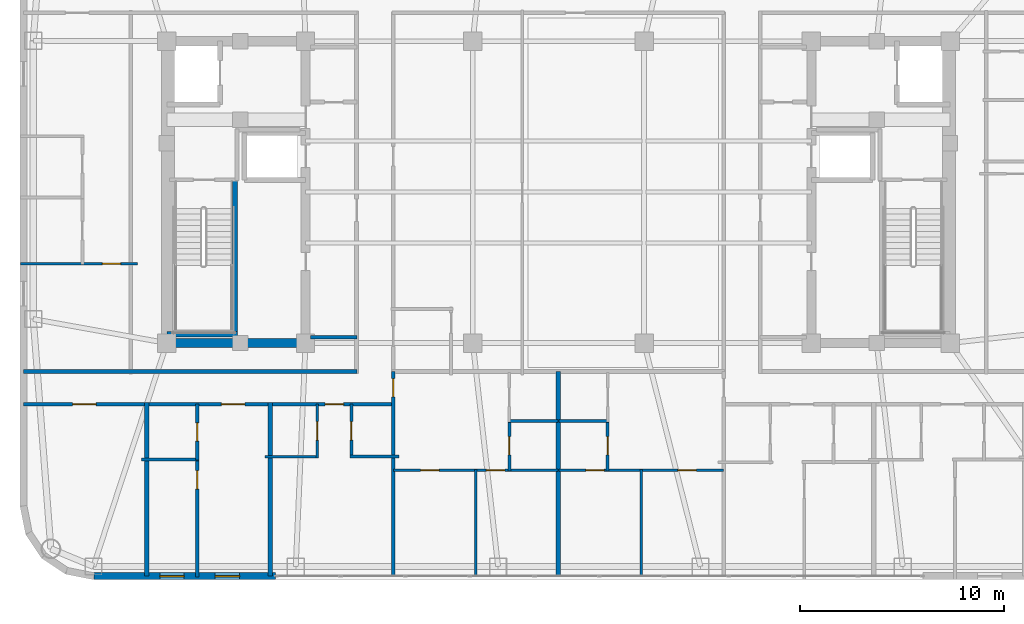
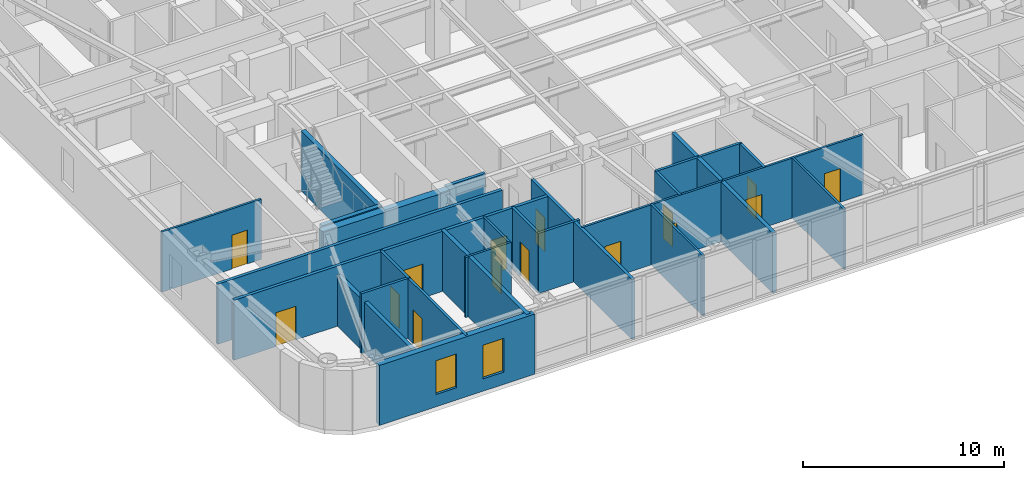
# One storey, part 8 of 16: 27 walls, 15 doors, 2 windows, 17 openings.
"""IFC4 building model written with IfcOpenShell, lengths in metres."""

from ifc_helpers import new_model, si_unit, direction, frame, frame_2d, origin, place, context, subcontext, project, spatial, rectangle, extrude, material, layer, layer_set, type_object, element, fill, save


model = new_model("IFC4")

# Units and contexts
model_context = context("Model", 3, precision=1e-05, world=origin(), true_north=direction((0.0, 1.0)))
body_context = subcontext(model_context, "Body", "Model", "MODEL_VIEW")
ifc_project = project(units=[si_unit("LENGTHUNIT", "METRE"), si_unit("AREAUNIT", "SQUARE_METRE"), si_unit("VOLUMEUNIT", "CUBIC_METRE"), si_unit("PLANEANGLEUNIT", "RADIAN"), si_unit("MASSUNIT", "GRAM", prefix="KILO")], contexts=[model_context])

# Site, building, storey
site_placement = place(None, origin())
site = spatial("IfcSite", under=ifc_project, at=site_placement, CompositionType="ELEMENT")
building_placement = place(site_placement, origin())
building = spatial("IfcBuilding", under=site, at=building_placement, Name="Voryun Gate Residences", CompositionType="ELEMENT")
storey_placement = place(building_placement, frame((0.0, 0.0, 208.0)))
storey = spatial("IfcBuildingStorey", under=building, at=storey_placement, Name="L51", CompositionType="ELEMENT", Elevation=208.0)

# Walls
ifc_material_1 = material(Name="Concrete C50/60", Category="concrete")
ifc_layer_1 = layer(ifc_material_1, 0.449951171875, Name="CW_CORE_450")
ifc_layer_set_1 = layer_set([ifc_layer_1], Name="Concrete C50/60")
wall_type_1 = type_object("IfcWallType", Name="CW_CORE_450", PredefinedType="SHEAR", material=ifc_layer_set_1)
wall_1_placement = place(storey_placement, frame((-19.425048828125, -7.39990234375, 0.0), z_axis=(0.0, 0.0, 1.0), x_axis=(1.0, 0.0, 0.0)))
element("IfcWall", 1, at=wall_1_placement, inside=storey, type_object=wall_type_1, Name="L51 Core shear wall CW-L51-WS", PredefinedType="SHEAR", context=body_context, shape_type="SweptSolid", body=[
    extrude(rectangle(XDim=7.25, YDim=0.449951171875, at=frame_2d((3.625, 0.0))), origin(), (0.0, 0.0, 1.0), 3.64990234375),
])
ifc_material_2 = material(Name="Gypsum acoustic fireboard")
ifc_layer_2 = layer(ifc_material_2, 0.179931640625, Name="W_CORR_RATED_180")
ifc_layer_set_2 = layer_set([ifc_layer_2], Name="Gypsum acoustic fireboard")
wall_type_2 = type_object("IfcWallType", Name="W_CORR_RATED_180", PredefinedType="PARTITIONING", material=ifc_layer_set_2)
wall_2_placement = place(storey_placement, frame((-12.14990234375, -7.1201171875, 0.0), z_axis=(0.0, 0.0, 1.0), x_axis=(1.0, 0.0, 0.0)))
element("IfcWall", 2, at=wall_2_placement, inside=storey, type_object=wall_type_2, Name="Partition wall WP-L51-PLBS-W", PredefinedType="PARTITIONING", context=body_context, shape_type="SweptSolid", body=[
    extrude(rectangle(XDim=2.27001953125, YDim=0.179931640625, at=frame_2d((1.135009765625, 0.0))), origin(), (0.0, 0.0, 1.0), 3.64990234375),
])
wall_3_placement = place(storey_placement, frame((-26.22998046875, -8.7900390625, 0.0), z_axis=(0.0, 0.0, 1.0), x_axis=(1.0, 0.0, 0.0)))
element("IfcWall", 3, at=wall_3_placement, inside=storey, type_object=wall_type_2, Name="Partition wall WP-L51-CWING-WS", PredefinedType="PARTITIONING", context=body_context, shape_type="SweptSolid", body=[
    extrude(rectangle(XDim=16.35009765625, YDim=0.179931640625, at=frame_2d((8.175048828125, 0.0))), origin(), (0.0, 0.0, 1.0), 3.64990234375),
])

# Wall, openings, doors
wall_4_placement = place(storey_placement, frame((-26.22998046875, -10.39990234375, 0.0), z_axis=(0.0, 0.0, 1.0), x_axis=(1.0, 0.0, 0.0)))
wall_4 = element("IfcWall", 4, at=wall_4_placement, inside=storey, type_object=wall_type_2, Name="Partition wall WP-L51-SCORR-W", PredefinedType="PARTITIONING", context=body_context, shape_type="SweptSolid", body=[
    extrude(rectangle(XDim=18.14990234375, YDim=0.179931640625, at=frame_2d((9.074951171875, 0.0))), origin(), (0.0, 0.0, 1.0), 3.64990234375),
])
opening_1_placement = place(wall_4_placement, frame((2.414306640625, 0.0, 0.0)))
opening_1 = element("IfcOpeningElement", 5, at=opening_1_placement, cuts=wall_4, Name="Opening D-UNIT-1", PredefinedType="OPENING", context=body_context, shape_type="SweptSolid", body=[
    extrude(rectangle(XDim=1.14990234375, YDim=2.050048828125, at=frame_2d((0.574951171875, 1.02490234375))), frame((0.0, 0.099853515625, 0.0), z_axis=(0.0, -1.0, 0.0), x_axis=(1.0, 0.0, 0.0)), (0.0, 0.0, 1.0), 0.199951171875),
])
opening_2_placement = place(wall_4_placement, frame((9.703369140625, 0.0, 0.0)))
opening_2 = element("IfcOpeningElement", 6, at=opening_2_placement, cuts=wall_4, Name="Opening D-UNIT-1", PredefinedType="OPENING", context=body_context, shape_type="SweptSolid", body=[
    extrude(rectangle(XDim=1.14990234375, YDim=2.050048828125, at=frame_2d((0.574951171875, 1.02490234375))), frame((0.0, 0.099853515625, 0.0), z_axis=(0.0, -1.0, 0.0), x_axis=(1.0, 0.0, 0.0)), (0.0, 0.0, 1.0), 0.199951171875),
])
opening_3_placement = place(wall_4_placement, frame((14.79248046875, 0.0, 0.0)))
opening_3 = element("IfcOpeningElement", 7, at=opening_3_placement, cuts=wall_4, Name="Opening D-INT-2", PredefinedType="OPENING", context=body_context, shape_type="SweptSolid", body=[
    extrude(rectangle(XDim=0.89990234375, YDim=2.050048828125, at=frame_2d((0.449951171875, 1.02490234375))), frame((0.0, 0.099853515625, 0.0), z_axis=(0.0, -1.0, 0.0), x_axis=(1.0, 0.0, 0.0)), (0.0, 0.0, 1.0), 0.199951171875),
])
ifc_material_3 = material(Name="Architectural oak veneer")
door_type_1 = type_object("IfcDoorType", Name="DR_INT_BATH_900", OperationType="NOTDEFINED", PredefinedType="DOOR", material=ifc_material_3)
door_1_placement = place(opening_3_placement, origin())
door_1 = element("IfcDoor", 8, at=door_1_placement, inside=storey, type_object=door_type_1, Name="Door DR-L51-SENT-3", OperationType="SINGLE_SWING_RIGHT", OverallHeight=2.050048828125, OverallWidth=0.89990234375, PredefinedType="DOOR", context=body_context, shape_type="SweptSolid", body=[
    extrude(rectangle(XDim=0.89990234375, YDim=2.050048828125, at=frame_2d((0.449951171875, 1.02490234375))), frame((0.0, 0.02490234375, 0.0), z_axis=(0.0, -1.0, 0.0), x_axis=(1.0, 0.0, 0.0)), (0.0, 0.0, 1.0), 0.050048828125),
])
fill(opening_3, door_1)
ifc_material_4 = material(Name="Armoured timber-clad fire door", Category="wood")
door_type_2 = type_object("IfcDoorType", Name="DR_UNIT_ENTRY_1150", OperationType="NOTDEFINED", PredefinedType="DOOR", material=ifc_material_4)
door_2_placement = place(opening_1_placement, origin())
door_2 = element("IfcDoor", 9, at=door_2_placement, inside=storey, type_object=door_type_2, Name="Door DR-L51-SENT-1", OperationType="SINGLE_SWING_RIGHT", OverallHeight=2.050048828125, OverallWidth=1.14990234375, PredefinedType="DOOR", context=body_context, shape_type="SweptSolid", body=[
    extrude(rectangle(XDim=1.14990234375, YDim=2.050048828125, at=frame_2d((0.574951171875, 1.02490234375))), frame((0.0, 0.02490234375, 0.0), z_axis=(0.0, -1.0, 0.0), x_axis=(1.0, 0.0, 0.0)), (0.0, 0.0, 1.0), 0.050048828125),
])
fill(opening_1, door_2)
door_3_placement = place(opening_2_placement, origin())
door_3 = element("IfcDoor", 10, at=door_3_placement, inside=storey, type_object=door_type_2, Name="Door DR-L51-SENT-2", OperationType="SINGLE_SWING_LEFT", OverallHeight=2.050048828125, OverallWidth=1.14990234375, PredefinedType="DOOR", context=body_context, shape_type="SweptSolid", body=[
    extrude(rectangle(XDim=1.14990234375, YDim=2.050048828125, at=frame_2d((0.574951171875, 1.02490234375))), frame((0.0, 0.02490234375, 0.0), z_axis=(0.0, -1.0, 0.0), x_axis=(1.0, 0.0, 0.0)), (0.0, 0.0, 1.0), 0.050048828125),
])
fill(opening_2, door_3)

# Wall, opening, door
wall_5_placement = place(storey_placement, frame((-8.10009765625, -18.830078125, 0.0), z_axis=(0.0, 0.0, 1.0), x_axis=(0.0, 1.0, 0.0)))
wall_5 = element("IfcWall", 11, at=wall_5_placement, inside=storey, type_object=wall_type_2, Name="Partition wall WP-L51-SZV-1", PredefinedType="PARTITIONING", context=body_context, shape_type="SweptSolid", body=[
    extrude(rectangle(XDim=10.0400390625, YDim=0.179931640625, at=frame_2d((5.02001953125, 0.0))), origin(), (0.0, 0.0, 1.0), 3.64990234375),
])
opening_4_placement = place(wall_5_placement, frame((8.789794921875, 0.0, 0.0)))
opening_4 = element("IfcOpeningElement", 12, at=opening_4_placement, cuts=wall_5, Name="Opening D-INT-2", PredefinedType="OPENING", context=body_context, shape_type="SweptSolid", body=[
    extrude(rectangle(XDim=0.89990234375, YDim=2.050048828125, at=frame_2d((0.449951171875, 1.02490234375))), frame((0.0, 0.099853515625, 0.0), z_axis=(0.0, -1.0, 0.0), x_axis=(1.0, 0.0, 0.0)), (0.0, 0.0, 1.0), 0.199951171875),
])
door_4_placement = place(opening_4_placement, origin())
door_4 = element("IfcDoor", 13, at=door_4_placement, inside=storey, type_object=door_type_1, Name="Door DR-L51-SZENT-1", OperationType="SINGLE_SWING_LEFT", OverallHeight=2.050048828125, OverallWidth=0.89990234375, PredefinedType="DOOR", context=body_context, shape_type="SweptSolid", body=[
    extrude(rectangle(XDim=0.89990234375, YDim=2.050048828125, at=frame_2d((0.449951171875, 1.02490234375))), frame((0.0, 0.02490234375, 0.0), z_axis=(0.0, -1.0, 0.0), x_axis=(1.0, 0.0, 0.0)), (0.0, 0.0, 1.0), 0.050048828125),
])
fill(opening_4, door_4)

# Wall, openings, windows
ifc_material_5 = material(Name="Charcoal terracotta masonry", Category="masonry")
ifc_layer_3 = layer(ifc_material_5, 0.340087890625, Name="W_EXT_TERRACOTTA_340")
ifc_layer_set_3 = layer_set([ifc_layer_3], Name="Charcoal terracotta masonry")
wall_type_3 = type_object("IfcWallType", Name="W_EXT_TERRACOTTA_340", PredefinedType="ELEMENTEDWALL", material=ifc_layer_set_3)
wall_6_placement = place(storey_placement, frame((-13.861328125, -18.830078125, 0.0), z_axis=(0.0, 0.0, 1.0), x_axis=(-1.0, 0.0, 0.0)))
wall_6 = element("IfcWall", 14, at=wall_6_placement, inside=storey, type_object=wall_type_3, Name="Exterior wall WEXT-L51-01B", PredefinedType="ELEMENTEDWALL", context=body_context, shape_type="SweptSolid", body=[
    extrude(rectangle(XDim=8.921875, YDim=0.340087890625, at=frame_2d((4.4609375, 0.0))), origin(), (0.0, 0.0, 1.0), 3.64990234375),
])
opening_5_placement = place(wall_6_placement, frame((1.769287109375, 0.0, 0.75)))
opening_5 = element("IfcOpeningElement", 15, at=opening_5_placement, cuts=wall_6, Name="Opening WN6", PredefinedType="OPENING", context=body_context, shape_type="SweptSolid", body=[
    extrude(rectangle(XDim=1.199951171875, YDim=2.050048828125, at=frame_2d((0.60009765625, 1.02490234375))), frame((0.0, 0.179931640625, 0.0), z_axis=(0.0, -1.0, 0.0), x_axis=(1.0, 0.0, 0.0)), (0.0, 0.0, 1.0), 0.360107421875),
])
opening_6_placement = place(wall_6_placement, frame((4.486083984375, 0.0, 0.75)))
opening_6 = element("IfcOpeningElement", 16, at=opening_6_placement, cuts=wall_6, Name="Opening WN6", PredefinedType="OPENING", context=body_context, shape_type="SweptSolid", body=[
    extrude(rectangle(XDim=1.199951171875, YDim=2.050048828125, at=frame_2d((0.60009765625, 1.02490234375))), frame((0.0, 0.179931640625, 0.0), z_axis=(0.0, -1.0, 0.0), x_axis=(1.0, 0.0, 0.0)), (0.0, 0.0, 1.0), 0.360107421875),
])
ifc_material_6 = material(Name="Laminated low-E glass", Category="glass")
window_type = type_object("IfcWindowType", Name="WN_POD_SLOT_1200", PartitioningType="SINGLE_PANEL", PredefinedType="WINDOW", material=ifc_material_6)
window_1_placement = place(opening_5_placement, origin())
window_1 = element("IfcWindow", 17, at=window_1_placement, inside=storey, type_object=window_type, Name="Window WN-L51-DWFIX-14", OverallHeight=2.050048828125, OverallWidth=1.199951171875, PartitioningType="SINGLE_PANEL", PredefinedType="WINDOW", context=body_context, shape_type="SweptSolid", body=[
    extrude(rectangle(XDim=1.199951171875, YDim=2.050048828125, at=frame_2d((0.60009765625, 1.02490234375))), frame((0.0, 0.030029296875, 0.0), z_axis=(0.0, -1.0, 0.0), x_axis=(1.0, 0.0, 0.0)), (0.0, 0.0, 1.0), 0.06005859375),
])
fill(opening_5, window_1)
window_2_placement = place(opening_6_placement, origin())
window_2 = element("IfcWindow", 18, at=window_2_placement, inside=storey, type_object=window_type, Name="Window WN-L51-DWFIX-15", OverallHeight=2.050048828125, OverallWidth=1.199951171875, PartitioningType="SINGLE_PANEL", PredefinedType="WINDOW", context=body_context, shape_type="SweptSolid", body=[
    extrude(rectangle(XDim=1.199951171875, YDim=2.050048828125, at=frame_2d((0.60009765625, 1.02490234375))), frame((0.0, 0.030029296875, 0.0), z_axis=(0.0, -1.0, 0.0), x_axis=(1.0, 0.0, 0.0)), (0.0, 0.0, 1.0), 0.06005859375),
])
fill(opening_6, window_2)

# Walls
ifc_material_7 = material(Name="Concrete C40/50", Category="concrete")
ifc_layer_4 = layer(ifc_material_7, 0.219970703125, Name="W_PARTY_ACOUSTIC_220")
ifc_layer_set_4 = layer_set([ifc_layer_4], Name="Concrete C40/50")
wall_type_4 = type_object("IfcWallType", Name="W_PARTY_ACOUSTIC_220", PredefinedType="PARTITIONING", material=ifc_layer_set_4)
wall_7_placement = place(storey_placement, frame((-20.18505859375, -18.830078125, 0.0), z_axis=(0.0, 0.0, 1.0), x_axis=(0.0, 1.0, 0.0)))
element("IfcWall", 19, at=wall_7_placement, inside=storey, type_object=wall_type_4, Name="Partition wall WP-L51-SPTY-1", PredefinedType="PARTITIONING", context=body_context, shape_type="SweptSolid", body=[
    extrude(rectangle(XDim=8.510009765625, YDim=0.219970703125, at=frame_2d((4.2548828125, 0.0))), origin(), (0.0, 0.0, 1.0), 3.090087890625),
])
wall_8_placement = place(storey_placement, frame((-14.132080078125, -18.830078125, 0.0), z_axis=(0.0, 0.0, 1.0), x_axis=(0.0, 1.0, 0.0)))
element("IfcWall", 20, at=wall_8_placement, inside=storey, type_object=wall_type_4, Name="Partition wall WP-L51-SPTY-2", PredefinedType="PARTITIONING", context=body_context, shape_type="SweptSolid", body=[
    extrude(rectangle(XDim=8.510009765625, YDim=0.219970703125, at=frame_2d((4.2548828125, 0.0))), origin(), (0.0, 0.0, 1.0), 3.64990234375),
])
wall_9_placement = place(storey_placement, frame((0.0, -18.830078125, 0.0), z_axis=(0.0, 0.0, 1.0), x_axis=(0.0, 1.0, 0.0)))
element("IfcWall", 21, at=wall_9_placement, inside=storey, type_object=wall_type_4, Name="Partition wall WP-L51-SZMID", PredefinedType="PARTITIONING", context=body_context, shape_type="SweptSolid", body=[
    extrude(rectangle(XDim=10.0400390625, YDim=0.219970703125, at=frame_2d((5.02001953125, 0.0))), origin(), (0.0, 0.0, 1.0), 3.64990234375),
])
ifc_material_8 = material(Name="Concrete C50/60", Category="concrete")
ifc_layer_5 = layer(ifc_material_8, 0.25, Name="W_SHAFT_RC250")
ifc_layer_set_5 = layer_set([ifc_layer_5], Name="Concrete C50/60")
wall_type_5 = type_object("IfcWallType", Name="W_SHAFT_RC250", PredefinedType="SOLIDWALL", material=ifc_layer_set_5)
wall_10_placement = place(storey_placement, frame((-15.860107421875, -7.0849609375, 0.0), z_axis=(0.0, 0.0, 1.0), x_axis=(0.0, 1.0, 0.0)))
element("IfcWall", 22, at=wall_10_placement, inside=storey, type_object=wall_type_5, Name="L51 Stair shaft structural wall W-STR", PredefinedType="SOLIDWALL", context=body_context, shape_type="SweptSolid", body=[
    extrude(rectangle(XDim=7.68505859375, YDim=0.25, at=frame_2d((3.842529296875, 0.0))), origin(), (0.0, 0.0, 1.0), 3.64990234375),
])
wall_11_placement = place(storey_placement, frame((-19.199951171875, -6.965087890625, 0.0), z_axis=(0.0, 0.0, 1.0), x_axis=(1.0, 0.0, 0.0)))
element("IfcWall", 23, at=wall_11_placement, inside=storey, type_object=wall_type_5, Name="L51 Stair shaft structural wall W-STS", PredefinedType="SOLIDWALL", context=body_context, shape_type="SweptSolid", body=[
    extrude(rectangle(XDim=3.4599609375, YDim=0.25, at=frame_2d((1.72998046875, 0.0))), origin(), (0.0, 0.0, 1.0), 3.64990234375),
])

# Wall, opening, door
ifc_material_9 = material(Name="Gypsum acoustic partition")
ifc_layer_6 = layer(ifc_material_9, 0.125, Name="W_UNIT_PART_125")
ifc_layer_set_6 = layer_set([ifc_layer_6], Name="Gypsum acoustic partition")
wall_type_6 = type_object("IfcWallType", Name="W_UNIT_PART_125", PredefinedType="PARTITIONING", material=ifc_layer_set_6)
wall_12_placement = place(storey_placement, frame((-11.818115234375, -13.030029296875, 0.0), z_axis=(0.0, 0.0, 1.0), x_axis=(0.0, 1.0, 0.0)))
wall_12 = element("IfcWall", 24, at=wall_12_placement, inside=storey, type_object=wall_type_6, Name="Partition wall WP-L51-S3-CVK", PredefinedType="PARTITIONING", context=body_context, shape_type="SweptSolid", body=[
    extrude(rectangle(XDim=2.650146484375, YDim=0.125, at=frame_2d((1.3251953125, 0.0))), origin(), (0.0, 0.0, 1.0), 3.64990234375),
])
opening_7_placement = place(wall_12_placement, frame((0.875, 0.0, 0.0)))
opening_7 = element("IfcOpeningElement", 25, at=opening_7_placement, cuts=wall_12, Name="Opening D-INT-2", PredefinedType="OPENING", context=body_context, shape_type="SweptSolid", body=[
    extrude(rectangle(XDim=0.89990234375, YDim=2.050048828125, at=frame_2d((0.449951171875, 1.02490234375))), frame((0.0, 0.072509765625, 0.0), z_axis=(0.0, -1.0, 0.0), x_axis=(1.0, 0.0, 0.0)), (0.0, 0.0, 1.0), 0.14501953125),
])
door_5_placement = place(opening_7_placement, origin())
door_5 = element("IfcDoor", 26, at=door_5_placement, inside=storey, type_object=door_type_1, Name="Door DR-L51-S3-DK", OperationType="SINGLE_SWING_LEFT", OverallHeight=2.050048828125, OverallWidth=0.89990234375, PredefinedType="DOOR", context=body_context, shape_type="SweptSolid", body=[
    extrude(rectangle(XDim=0.89990234375, YDim=2.050048828125, at=frame_2d((0.449951171875, 1.02490234375))), frame((0.0, 0.02490234375, 0.0), z_axis=(0.0, -1.0, 0.0), x_axis=(1.0, 0.0, 0.0)), (0.0, 0.0, 1.0), 0.050048828125),
])
fill(opening_7, door_5)

# Wall
wall_13_placement = place(storey_placement, frame((-14.39208984375, -12.969970703125, 0.0), z_axis=(0.0, 0.0, 1.0), x_axis=(1.0, 0.0, 0.0)))
element("IfcWall", 27, at=wall_13_placement, inside=storey, type_object=wall_type_6, Name="Partition wall WP-L51-S3-CHK", PredefinedType="PARTITIONING", context=body_context, shape_type="SweptSolid", body=[
    extrude(rectangle(XDim=2.634033203125, YDim=0.125, at=frame_2d((1.31689453125, 0.0))), origin(), (0.0, 0.0, 1.0), 3.64990234375),
])

# Wall, openings, doors
wall_14_placement = place(storey_placement, frame((-8.080078125, -13.6298828125, 0.0), z_axis=(0.0, 0.0, 1.0), x_axis=(1.0, 0.0, 0.0)))
wall_14 = element("IfcWall", 28, at=wall_14_placement, inside=storey, type_object=wall_type_6, Name="Partition wall WP-L51-SC1-HZ", PredefinedType="PARTITIONING", context=body_context, shape_type="SweptSolid", body=[
    extrude(rectangle(XDim=8.06005859375, YDim=0.125, at=frame_2d((4.030029296875, 0.0))), origin(), (0.0, 0.0, 1.0), 3.64990234375),
])
opening_8_placement = place(wall_14_placement, frame((1.3232421875, 0.0, 0.0)))
opening_8 = element("IfcOpeningElement", 29, at=opening_8_placement, cuts=wall_14, Name="Opening D-INT-2", PredefinedType="OPENING", context=body_context, shape_type="SweptSolid", body=[
    extrude(rectangle(XDim=0.89990234375, YDim=2.050048828125, at=frame_2d((0.449951171875, 1.02490234375))), frame((0.0, 0.072509765625, 0.0), z_axis=(0.0, -1.0, 0.0), x_axis=(1.0, 0.0, 0.0)), (0.0, 0.0, 1.0), 0.14501953125),
])
opening_9_placement = place(wall_14_placement, frame((4.547119140625, 0.0, 0.0)))
opening_9 = element("IfcOpeningElement", 30, at=opening_9_placement, cuts=wall_14, Name="Opening D-INT-2", PredefinedType="OPENING", context=body_context, shape_type="SweptSolid", body=[
    extrude(rectangle(XDim=0.89990234375, YDim=2.050048828125, at=frame_2d((0.449951171875, 1.02490234375))), frame((0.0, 0.072509765625, 0.0), z_axis=(0.0, -1.0, 0.0), x_axis=(1.0, 0.0, 0.0)), (0.0, 0.0, 1.0), 0.14501953125),
])
door_6_placement = place(opening_8_placement, origin())
door_6 = element("IfcDoor", 31, at=door_6_placement, inside=storey, type_object=door_type_1, Name="Door DR-L51-SC1-DMB", OperationType="SINGLE_SWING_LEFT", OverallHeight=2.050048828125, OverallWidth=0.89990234375, PredefinedType="DOOR", context=body_context, shape_type="SweptSolid", body=[
    extrude(rectangle(XDim=0.89990234375, YDim=2.050048828125, at=frame_2d((0.449951171875, 1.02490234375))), frame((0.0, 0.02490234375, 0.0), z_axis=(0.0, -1.0, 0.0), x_axis=(1.0, 0.0, 0.0)), (0.0, 0.0, 1.0), 0.050048828125),
])
fill(opening_8, door_6)
door_7_placement = place(opening_9_placement, origin())
door_7 = element("IfcDoor", 32, at=door_7_placement, inside=storey, type_object=door_type_1, Name="Door DR-L51-SC1-DBD2", OperationType="SINGLE_SWING_RIGHT", OverallHeight=2.050048828125, OverallWidth=0.89990234375, PredefinedType="DOOR", context=body_context, shape_type="SweptSolid", body=[
    extrude(rectangle(XDim=0.89990234375, YDim=2.050048828125, at=frame_2d((0.449951171875, 1.02490234375))), frame((0.0, 0.02490234375, 0.0), z_axis=(0.0, -1.0, 0.0), x_axis=(1.0, 0.0, 0.0)), (0.0, 0.0, 1.0), 0.050048828125),
])
fill(opening_9, door_7)

# Wall
wall_15_placement = place(storey_placement, frame((-4.050048828125, -18.830078125, 0.0), z_axis=(0.0, 0.0, 1.0), x_axis=(0.0, 1.0, 0.0)))
element("IfcWall", 33, at=wall_15_placement, inside=storey, type_object=wall_type_6, Name="Partition wall WP-L51-SC1-VBD", PredefinedType="PARTITIONING", context=body_context, shape_type="SweptSolid", body=[
    extrude(rectangle(XDim=5.239990234375, YDim=0.125, at=frame_2d((2.6201171875, 0.0))), origin(), (0.0, 0.0, 1.0), 3.64990234375),
])

# Wall, openings, doors
wall_16_placement = place(storey_placement, frame((0.02001953125, -13.6298828125, 0.0), z_axis=(0.0, 0.0, 1.0), x_axis=(1.0, 0.0, 0.0)))
wall_16 = element("IfcWall", 34, at=wall_16_placement, inside=storey, type_object=wall_type_6, Name="Partition wall WP-L51-SC2-HZ", PredefinedType="PARTITIONING", context=body_context, shape_type="SweptSolid", body=[
    extrude(rectangle(XDim=8.06005859375, YDim=0.125, at=frame_2d((4.030029296875, 0.0))), origin(), (0.0, 0.0, 1.0), 3.64990234375),
])
opening_10_placement = place(wall_16_placement, frame((1.3232421875, 0.0, 0.0)))
opening_10 = element("IfcOpeningElement", 35, at=opening_10_placement, cuts=wall_16, Name="Opening D-INT-2", PredefinedType="OPENING", context=body_context, shape_type="SweptSolid", body=[
    extrude(rectangle(XDim=0.89990234375, YDim=2.050048828125, at=frame_2d((0.449951171875, 1.02490234375))), frame((0.0, 0.072509765625, 0.0), z_axis=(0.0, -1.0, 0.0), x_axis=(1.0, 0.0, 0.0)), (0.0, 0.0, 1.0), 0.14501953125),
])
opening_11_placement = place(wall_16_placement, frame((5.8369140625, 0.0, 0.0)))
opening_11 = element("IfcOpeningElement", 36, at=opening_11_placement, cuts=wall_16, Name="Opening D-INT-2", PredefinedType="OPENING", context=body_context, shape_type="SweptSolid", body=[
    extrude(rectangle(XDim=0.89990234375, YDim=2.050048828125, at=frame_2d((0.449951171875, 1.02490234375))), frame((0.0, 0.072509765625, 0.0), z_axis=(0.0, -1.0, 0.0), x_axis=(1.0, 0.0, 0.0)), (0.0, 0.0, 1.0), 0.14501953125),
])
door_8_placement = place(opening_10_placement, origin())
door_8 = element("IfcDoor", 37, at=door_8_placement, inside=storey, type_object=door_type_1, Name="Door DR-L51-SC2-DMB", OperationType="SINGLE_SWING_LEFT", OverallHeight=2.050048828125, OverallWidth=0.89990234375, PredefinedType="DOOR", context=body_context, shape_type="SweptSolid", body=[
    extrude(rectangle(XDim=0.89990234375, YDim=2.050048828125, at=frame_2d((0.449951171875, 1.02490234375))), frame((0.0, 0.02490234375, 0.0), z_axis=(0.0, -1.0, 0.0), x_axis=(1.0, 0.0, 0.0)), (0.0, 0.0, 1.0), 0.050048828125),
])
fill(opening_10, door_8)
door_9_placement = place(opening_11_placement, origin())
door_9 = element("IfcDoor", 38, at=door_9_placement, inside=storey, type_object=door_type_1, Name="Door DR-L51-SC2-DBD2", OperationType="SINGLE_SWING_RIGHT", OverallHeight=2.050048828125, OverallWidth=0.89990234375, PredefinedType="DOOR", context=body_context, shape_type="SweptSolid", body=[
    extrude(rectangle(XDim=0.89990234375, YDim=2.050048828125, at=frame_2d((0.449951171875, 1.02490234375))), frame((0.0, 0.02490234375, 0.0), z_axis=(0.0, -1.0, 0.0), x_axis=(1.0, 0.0, 0.0)), (0.0, 0.0, 1.0), 0.050048828125),
])
fill(opening_11, door_9)

# Wall
wall_17_placement = place(storey_placement, frame((4.050048828125, -18.830078125, 0.0), z_axis=(0.0, 0.0, 1.0), x_axis=(0.0, 1.0, 0.0)))
element("IfcWall", 39, at=wall_17_placement, inside=storey, type_object=wall_type_6, Name="Partition wall WP-L51-SC2-VBD", PredefinedType="PARTITIONING", context=body_context, shape_type="SweptSolid", body=[
    extrude(rectangle(XDim=5.239990234375, YDim=0.125, at=frame_2d((2.6201171875, 0.0))), origin(), (0.0, 0.0, 1.0), 3.64990234375),
])

# Wall, opening, door
wall_18_placement = place(storey_placement, frame((-26.3798828125, -3.510009765625, 0.0), z_axis=(0.0, 0.0, 1.0), x_axis=(1.0, 0.0, 0.0)))
wall_18 = element("IfcWall", 40, at=wall_18_placement, inside=storey, type_object=wall_type_6, Name="Partition wall WP-L51-W1-HZ3", PredefinedType="PARTITIONING", context=body_context, shape_type="SweptSolid", body=[
    extrude(rectangle(XDim=5.72998046875, YDim=0.125, at=frame_2d((2.864990234375, 0.0))), origin(), (0.0, 0.0, 1.0), 3.64990234375),
])
opening_12_placement = place(wall_18_placement, frame((4.019287109375, 0.0, 0.0)))
opening_12 = element("IfcOpeningElement", 41, at=opening_12_placement, cuts=wall_18, Name="Opening D-INT-2", PredefinedType="OPENING", context=body_context, shape_type="SweptSolid", body=[
    extrude(rectangle(XDim=0.89990234375, YDim=2.050048828125, at=frame_2d((0.449951171875, 1.02490234375))), frame((0.0, 0.072509765625, 0.0), z_axis=(0.0, -1.0, 0.0), x_axis=(1.0, 0.0, 0.0)), (0.0, 0.0, 1.0), 0.14501953125),
])
door_10_placement = place(opening_12_placement, origin())
door_10 = element("IfcDoor", 42, at=door_10_placement, inside=storey, type_object=door_type_1, Name="Door DR-L51-W1-DMB", OperationType="SINGLE_SWING_LEFT", OverallHeight=2.050048828125, OverallWidth=0.89990234375, PredefinedType="DOOR", context=body_context, shape_type="SweptSolid", body=[
    extrude(rectangle(XDim=0.89990234375, YDim=2.050048828125, at=frame_2d((0.449951171875, 1.02490234375))), frame((0.0, 0.02490234375, 0.0), z_axis=(0.0, -1.0, 0.0), x_axis=(1.0, 0.0, 0.0)), (0.0, 0.0, 1.0), 0.050048828125),
])
fill(opening_12, door_10)

# Wall
ifc_material_10 = material(Name="Gypsum moisture-resistant partition")
ifc_layer_7 = layer(ifc_material_10, 0.14990234375, Name="W_WET_PLUMB_150")
ifc_layer_set_7 = layer_set([ifc_layer_7], Name="Gypsum moisture-resistant partition")
wall_type_7 = type_object("IfcWallType", Name="W_WET_PLUMB_150", PredefinedType="PLUMBINGWALL", material=ifc_layer_set_7)
wall_19_placement = place(storey_placement, frame((-20.445068359375, -13.10009765625, 0.0), z_axis=(0.0, 0.0, 1.0), x_axis=(1.0, 0.0, 0.0)))
element("IfcWall", 43, at=wall_19_placement, inside=storey, type_object=wall_type_7, Name="Partition wall WP-L51-S2-SKB", PredefinedType="PLUMBINGWALL", context=body_context, shape_type="SweptSolid", body=[
    extrude(rectangle(XDim=2.815185546875, YDim=0.14990234375, at=frame_2d((1.40771484375, 0.0))), origin(), (0.0, 0.0, 1.0), 3.64990234375),
])

# Wall, opening, door
wall_20_placement = place(storey_placement, frame((-17.7099609375, -18.876708984375, 0.0), z_axis=(0.0, 0.0, 1.0), x_axis=(0.0, 1.0, 0.0)))
wall_20 = element("IfcWall", 44, at=wall_20_placement, inside=storey, type_object=wall_type_7, Name="Partition wall WP-L51-S2-SVT1", PredefinedType="PLUMBINGWALL", context=body_context, shape_type="SweptSolid", body=[
    extrude(rectangle(XDim=5.816650390625, YDim=0.14990234375, at=frame_2d((2.908203125, 0.0))), origin(), (0.0, 0.0, 1.0), 3.64990234375),
])
opening_13_placement = place(wall_20_placement, frame((4.31982421875, 0.0, 0.0)))
opening_13 = element("IfcOpeningElement", 45, at=opening_13_placement, cuts=wall_20, Name="Opening D-INT-2", PredefinedType="OPENING", context=body_context, shape_type="SweptSolid", body=[
    extrude(rectangle(XDim=0.89990234375, YDim=2.050048828125, at=frame_2d((0.449951171875, 1.02490234375))), frame((0.0, 0.0849609375, 0.0), z_axis=(0.0, -1.0, 0.0), x_axis=(1.0, 0.0, 0.0)), (0.0, 0.0, 1.0), 0.169921875),
])
door_11_placement = place(opening_13_placement, origin())
door_11 = element("IfcDoor", 46, at=door_11_placement, inside=storey, type_object=door_type_1, Name="Door DR-L51-S2-DK", OperationType="SINGLE_SWING_LEFT", OverallHeight=2.050048828125, OverallWidth=0.89990234375, PredefinedType="DOOR", context=body_context, shape_type="SweptSolid", body=[
    extrude(rectangle(XDim=0.89990234375, YDim=2.050048828125, at=frame_2d((0.449951171875, 1.02490234375))), frame((0.0, 0.02490234375, 0.0), z_axis=(0.0, -1.0, 0.0), x_axis=(1.0, 0.0, 0.0)), (0.0, 0.0, 1.0), 0.050048828125),
])
fill(opening_13, door_11)

wall_21_placement = place(storey_placement, frame((-17.7099609375, -13.139892578125, 0.0), z_axis=(0.0, 0.0, 1.0), x_axis=(0.0, 1.0, 0.0)))
wall_21 = element("IfcWall", 47, at=wall_21_placement, inside=storey, type_object=wall_type_7, Name="Partition wall WP-L51-S2-SVT2", PredefinedType="PLUMBINGWALL", context=body_context, shape_type="SweptSolid", body=[
    extrude(rectangle(XDim=2.760009765625, YDim=0.14990234375, at=frame_2d((1.3798828125, 0.0))), origin(), (0.0, 0.0, 1.0), 3.64990234375),
])
opening_14_placement = place(wall_21_placement, frame((0.929931640625, 0.0, 0.0)))
opening_14 = element("IfcOpeningElement", 48, at=opening_14_placement, cuts=wall_21, Name="Opening D-INT-2", PredefinedType="OPENING", context=body_context, shape_type="SweptSolid", body=[
    extrude(rectangle(XDim=0.89990234375, YDim=2.050048828125, at=frame_2d((0.449951171875, 1.02490234375))), frame((0.0, 0.0849609375, 0.0), z_axis=(0.0, -1.0, 0.0), x_axis=(1.0, 0.0, 0.0)), (0.0, 0.0, 1.0), 0.169921875),
])
door_12_placement = place(opening_14_placement, origin())
door_12 = element("IfcDoor", 49, at=door_12_placement, inside=storey, type_object=door_type_1, Name="Door DR-L51-S2-DB", OperationType="SINGLE_SWING_RIGHT", OverallHeight=2.050048828125, OverallWidth=0.89990234375, PredefinedType="DOOR", context=body_context, shape_type="SweptSolid", body=[
    extrude(rectangle(XDim=0.89990234375, YDim=2.050048828125, at=frame_2d((0.449951171875, 1.02490234375))), frame((0.0, 0.02490234375, 0.0), z_axis=(0.0, -1.0, 0.0), x_axis=(1.0, 0.0, 0.0)), (0.0, 0.0, 1.0), 0.050048828125),
])
fill(opening_14, door_12)

wall_22_placement = place(storey_placement, frame((-10.156982421875, -13.030029296875, 0.0), z_axis=(0.0, 0.0, 1.0), x_axis=(0.0, 1.0, 0.0)))
wall_22 = element("IfcWall", 50, at=wall_22_placement, inside=storey, type_object=wall_type_7, Name="Partition wall WP-L51-S3-CVB", PredefinedType="PLUMBINGWALL", context=body_context, shape_type="SweptSolid", body=[
    extrude(rectangle(XDim=2.650146484375, YDim=0.14990234375, at=frame_2d((1.3251953125, 0.0))), origin(), (0.0, 0.0, 1.0), 3.64990234375),
])
opening_15_placement = place(wall_22_placement, frame((0.875, 0.0, 0.0)))
opening_15 = element("IfcOpeningElement", 51, at=opening_15_placement, cuts=wall_22, Name="Opening D-INT-2", PredefinedType="OPENING", context=body_context, shape_type="SweptSolid", body=[
    extrude(rectangle(XDim=0.89990234375, YDim=2.050048828125, at=frame_2d((0.449951171875, 1.02490234375))), frame((0.0, 0.0849609375, 0.0), z_axis=(0.0, -1.0, 0.0), x_axis=(1.0, 0.0, 0.0)), (0.0, 0.0, 1.0), 0.169921875),
])
door_13_placement = place(opening_15_placement, origin())
door_13 = element("IfcDoor", 52, at=door_13_placement, inside=storey, type_object=door_type_1, Name="Door DR-L51-S3-DB", OperationType="SINGLE_SWING_RIGHT", OverallHeight=2.050048828125, OverallWidth=0.89990234375, PredefinedType="DOOR", context=body_context, shape_type="SweptSolid", body=[
    extrude(rectangle(XDim=0.89990234375, YDim=2.050048828125, at=frame_2d((0.449951171875, 1.02490234375))), frame((0.0, 0.02490234375, 0.0), z_axis=(0.0, -1.0, 0.0), x_axis=(1.0, 0.0, 0.0)), (0.0, 0.0, 1.0), 0.050048828125),
])
fill(opening_15, door_13)

# Wall
wall_23_placement = place(storey_placement, frame((-10.217041015625, -12.969970703125, 0.0), z_axis=(0.0, 0.0, 1.0), x_axis=(1.0, 0.0, 0.0)))
element("IfcWall", 53, at=wall_23_placement, inside=storey, type_object=wall_type_7, Name="Partition wall WP-L51-S3-CHB", PredefinedType="PLUMBINGWALL", context=body_context, shape_type="SweptSolid", body=[
    extrude(rectangle(XDim=2.39697265625, YDim=0.14990234375, at=frame_2d((1.198486328125, 0.0))), origin(), (0.0, 0.0, 1.0), 3.64990234375),
])

# Wall, opening, door
wall_24_placement = place(storey_placement, frame((-2.409912109375, -13.669921875, 0.0), z_axis=(0.0, 0.0, 1.0), x_axis=(0.0, 1.0, 0.0)))
wall_24 = element("IfcWall", 54, at=wall_24_placement, inside=storey, type_object=wall_type_7, Name="Partition wall WP-L51-SC1-VK2", PredefinedType="PLUMBINGWALL", context=body_context, shape_type="SweptSolid", body=[
    extrude(rectangle(XDim=2.469970703125, YDim=0.14990234375, at=frame_2d((1.23486328125, 0.0))), origin(), (0.0, 0.0, 1.0), 3.64990234375),
])
opening_16_placement = place(wall_24_placement, frame((0.784912109375, 0.0, 0.0)))
opening_16 = element("IfcOpeningElement", 55, at=opening_16_placement, cuts=wall_24, Name="Opening D-INT-2", PredefinedType="OPENING", context=body_context, shape_type="SweptSolid", body=[
    extrude(rectangle(XDim=0.89990234375, YDim=2.050048828125, at=frame_2d((0.449951171875, 1.02490234375))), frame((0.0, 0.0849609375, 0.0), z_axis=(0.0, -1.0, 0.0), x_axis=(1.0, 0.0, 0.0)), (0.0, 0.0, 1.0), 0.169921875),
])
door_14_placement = place(opening_16_placement, origin())
door_14 = element("IfcDoor", 56, at=door_14_placement, inside=storey, type_object=door_type_1, Name="Door DR-L51-SC1-DB", OperationType="SINGLE_SWING_RIGHT", OverallHeight=2.050048828125, OverallWidth=0.89990234375, PredefinedType="DOOR", context=body_context, shape_type="SweptSolid", body=[
    extrude(rectangle(XDim=0.89990234375, YDim=2.050048828125, at=frame_2d((0.449951171875, 1.02490234375))), frame((0.0, 0.02490234375, 0.0), z_axis=(0.0, -1.0, 0.0), x_axis=(1.0, 0.0, 0.0)), (0.0, 0.0, 1.0), 0.050048828125),
])
fill(opening_16, door_14)

# Wall
wall_25_placement = place(storey_placement, frame((-2.449951171875, -11.22998046875, 0.0), z_axis=(0.0, 0.0, 1.0), x_axis=(1.0, 0.0, 0.0)))
element("IfcWall", 57, at=wall_25_placement, inside=storey, type_object=wall_type_7, Name="Partition wall WP-L51-SC1-HKB", PredefinedType="PLUMBINGWALL", context=body_context, shape_type="SweptSolid", body=[
    extrude(rectangle(XDim=2.429931640625, YDim=0.14990234375, at=frame_2d((1.21484375, 0.0))), origin(), (0.0, 0.0, 1.0), 3.64990234375),
])

# Wall, opening, door
wall_26_placement = place(storey_placement, frame((2.409912109375, -13.669921875, 0.0), z_axis=(0.0, 0.0, 1.0), x_axis=(0.0, 1.0, 0.0)))
wall_26 = element("IfcWall", 58, at=wall_26_placement, inside=storey, type_object=wall_type_7, Name="Partition wall WP-L51-SC2-VK2", PredefinedType="PLUMBINGWALL", context=body_context, shape_type="SweptSolid", body=[
    extrude(rectangle(XDim=2.469970703125, YDim=0.14990234375, at=frame_2d((1.23486328125, 0.0))), origin(), (0.0, 0.0, 1.0), 3.64990234375),
])
opening_17_placement = place(wall_26_placement, frame((0.784912109375, 0.0, 0.0)))
opening_17 = element("IfcOpeningElement", 59, at=opening_17_placement, cuts=wall_26, Name="Opening D-INT-2", PredefinedType="OPENING", context=body_context, shape_type="SweptSolid", body=[
    extrude(rectangle(XDim=0.89990234375, YDim=2.050048828125, at=frame_2d((0.449951171875, 1.02490234375))), frame((0.0, 0.0849609375, 0.0), z_axis=(0.0, -1.0, 0.0), x_axis=(1.0, 0.0, 0.0)), (0.0, 0.0, 1.0), 0.169921875),
])
door_15_placement = place(opening_17_placement, origin())
door_15 = element("IfcDoor", 60, at=door_15_placement, inside=storey, type_object=door_type_1, Name="Door DR-L51-SC2-DB", OperationType="SINGLE_SWING_RIGHT", OverallHeight=2.050048828125, OverallWidth=0.89990234375, PredefinedType="DOOR", context=body_context, shape_type="SweptSolid", body=[
    extrude(rectangle(XDim=0.89990234375, YDim=2.050048828125, at=frame_2d((0.449951171875, 1.02490234375))), frame((0.0, 0.02490234375, 0.0), z_axis=(0.0, -1.0, 0.0), x_axis=(1.0, 0.0, 0.0)), (0.0, 0.0, 1.0), 0.050048828125),
])
fill(opening_17, door_15)

# Wall
wall_27_placement = place(storey_placement, frame((0.02001953125, -11.22998046875, 0.0), z_axis=(0.0, 0.0, 1.0), x_axis=(1.0, 0.0, 0.0)))
element("IfcWall", 61, at=wall_27_placement, inside=storey, type_object=wall_type_7, Name="Partition wall WP-L51-SC2-HKB", PredefinedType="PLUMBINGWALL", context=body_context, shape_type="SweptSolid", body=[
    extrude(rectangle(XDim=2.429931640625, YDim=0.14990234375, at=frame_2d((1.21484375, 0.0))), origin(), (0.0, 0.0, 1.0), 3.64990234375),
])

save(model, "model.ifc")
